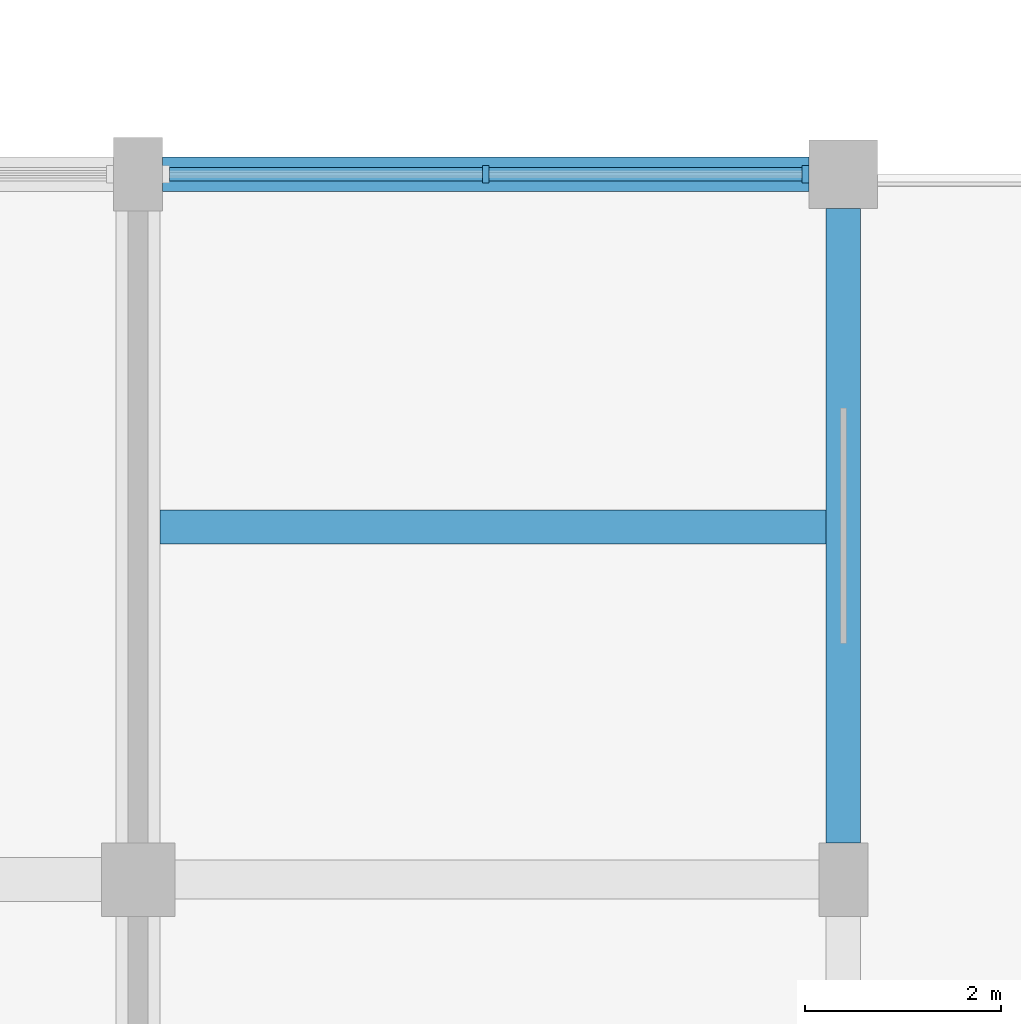
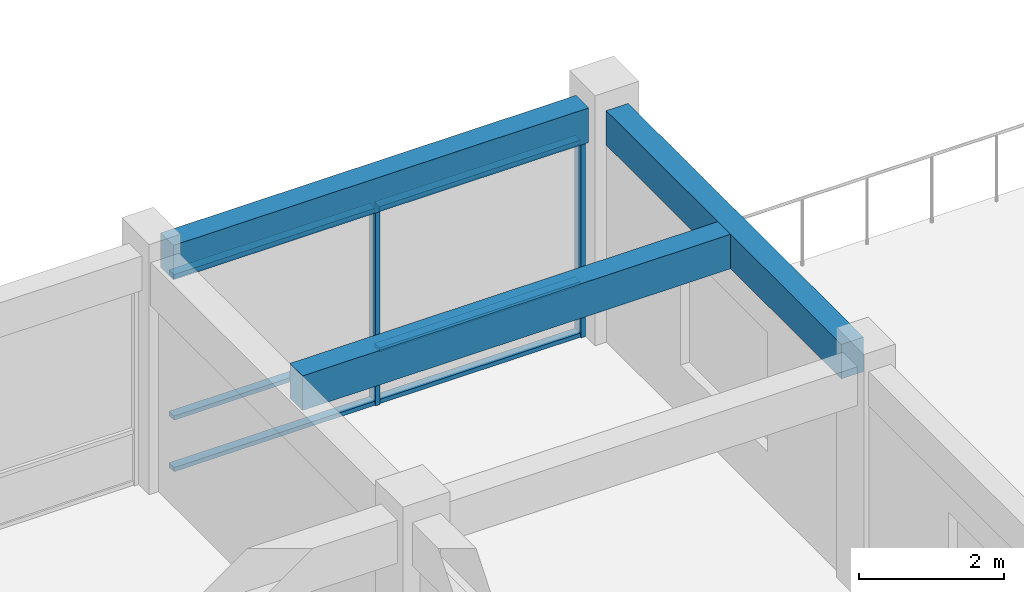
# One storey, part 15 of 31: 8 members, 3 beams, 1 element without a shape of its own.
"""IFC4 building model written with IfcOpenShell, lengths in metres."""

from ifc_helpers import new_model, si_unit, direction, frame, origin, origin_2d, place, context, subcontext, project, spatial, rectangle, extrude, material, layer, layer_set, material_profile, profile_set, type_object, element, aggregate, save


model = new_model("IFC4")

# Units and contexts
model_context = context("Model", 3, precision=1e-05, world=origin(), true_north=direction((0.0, 1.0)))
body_context = subcontext(model_context, "Body", "Model", "MODEL_VIEW")
ifc_project = project(units=[si_unit("LENGTHUNIT", "METRE"), si_unit("AREAUNIT", "SQUARE_METRE"), si_unit("VOLUMEUNIT", "CUBIC_METRE"), si_unit("PLANEANGLEUNIT", "RADIAN"), si_unit("MASSUNIT", "GRAM", prefix="KILO")], contexts=[model_context])

# Site, building, storey
site_placement = place(None, origin())
site = spatial("IfcSite", under=ifc_project, at=site_placement, CompositionType="ELEMENT")
building_placement = place(site_placement, origin())
building = spatial("IfcBuilding", under=site, at=building_placement, Name="Cendaluz Park School", CompositionType="ELEMENT")
storey_placement = place(building_placement, frame((0.0, 0.0, 14.39990234375)))
storey = spatial("IfcBuildingStorey", under=building, at=storey_placement, Name="L03", CompositionType="ELEMENT", Elevation=14.39990234375)

# Beams
ifc_material_1 = material(Name="Concrete C40/50", Category="concrete")
ifc_material_profile_1 = material_profile(ifc_material_1, rectangle(XDim=0.35009765625, YDim=0.580078125, at=origin_2d()), Name="RC 350x580", Category="concrete")
ifc_profile_set_1 = profile_set([ifc_material_profile_1], Name="Concrete C40/50")
beam_type_1 = type_object("IfcBeamType", Name="BM-RC04", PredefinedType="LINTEL", material=ifc_profile_set_1)
beam_1_placement = place(storey_placement, frame((151.449951171875, 28.800048828125, 3.60009765625), z_axis=(1.0, 0.0, 0.0), x_axis=(0.0, 1.0, 0.0)))
element("IfcBeam", 1, at=beam_1_placement, inside=storey, type_object=beam_type_1, Name="BM-L03-BMRC04-0110", PredefinedType="LINTEL", context=body_context, shape_type="SweptSolid", body=[
    extrude(rectangle(XDim=0.35009765625, YDim=0.580078125, at=origin_2d()), origin(), (0.0, 0.0, 1.0), 6.60009765625),
])
beam_2_placement = place(storey_placement, frame((158.39990234375, 21.97509765625, 3.60009765625), z_axis=(0.0, 1.0, 0.0), x_axis=(-1.0, 0.0, 0.0)))
element("IfcBeam", 2, at=beam_2_placement, inside=storey, type_object=beam_type_1, Name="BM-L03-BMRC04-0215", PredefinedType="LINTEL", context=body_context, shape_type="SweptSolid", body=[
    extrude(rectangle(XDim=0.35009765625, YDim=0.580078125, at=origin_2d()), origin(), (0.0, 0.0, 1.0), 6.474853515625),
])

# Curtain wall, members
ifc_material_2 = material(Name="Anodised Aluminium 6063-T6", Category="aluminium")
ifc_layer = layer(ifc_material_2, 0.179931640625)
ifc_layer_set = layer_set([ifc_layer], Name="Anodised Aluminium 6063-T6")
curtain_wall_type = type_object("IfcCurtainWallType", Name="CW-132x66", PredefinedType="NOTDEFINED", material=ifc_layer_set)
curtain_wall_placement = place(storey_placement, origin())
curtain_wall = element("IfcCurtainWall", 3, at=curtain_wall_placement, inside=storey, type_object=curtain_wall_type, Name="CW-L03-160", PredefinedType="NOTDEFINED")
ifc_material_profile_2 = material_profile(ifc_material_2, rectangle(XDim=0.179931640625, YDim=0.070068359375, at=origin_2d()), Name="CWM 180x70", Category="aluminium")
ifc_profile_set_2 = profile_set([ifc_material_profile_2], Name="Anodised Aluminium 6063-T6")
member_type_1 = type_object("IfcMemberType", Name="CWM-01", PredefinedType="MULLION", material=ifc_profile_set_2)
member_1_placement = place(storey_placement, frame((154.75, 28.800048828125, 0.0), z_axis=(0.0, 0.0, 1.0), x_axis=(0.0, 1.0, 0.0)))
member_1 = element("IfcMember", 4, at=member_1_placement, type_object=member_type_1, Name="CP-L03-2069", PredefinedType="MULLION", context=body_context, shape_type="SweptSolid", body=[
    extrude(rectangle(XDim=0.179931640625, YDim=0.070068359375, at=origin_2d()), origin(), (0.0, 0.0, 1.0), 3.31005859375),
])
member_2_placement = place(storey_placement, frame((158.014892578125, 28.800048828125, 0.0), z_axis=(0.0, 0.0, 1.0), x_axis=(0.0, 1.0, 0.0)))
member_2 = element("IfcMember", 5, at=member_2_placement, type_object=member_type_1, Name="CP-L03-2070", PredefinedType="MULLION", context=body_context, shape_type="SweptSolid", body=[
    extrude(rectangle(XDim=0.179931640625, YDim=0.070068359375, at=origin_2d()), origin(), (0.0, 0.0, 1.0), 3.31005859375),
])
ifc_material_profile_3 = material_profile(ifc_material_2, rectangle(XDim=0.139892578125, YDim=0.070068359375, at=origin_2d()), Name="CWT 140x70", Category="aluminium")
ifc_profile_set_3 = profile_set([ifc_material_profile_3], Name="Anodised Aluminium 6063-T6")
member_type_2 = type_object("IfcMemberType", Name="CWT-01", PredefinedType="USERDEFINED", material=ifc_profile_set_3)
member_3_placement = place(storey_placement, frame((151.52001953125, 28.800048828125, 0.03515625), z_axis=(1.0, 0.0, 0.0), x_axis=(0.0, 1.0, 0.0)))
member_3 = element("IfcMember", 6, at=member_3_placement, type_object=member_type_2, Name="CP-L03-2071", ObjectType="TRANSOM", PredefinedType="USERDEFINED", context=body_context, shape_type="SweptSolid", body=[
    extrude(rectangle(XDim=0.139892578125, YDim=0.070068359375, at=origin_2d()), origin(), (0.0, 0.0, 1.0), 3.195068359375),
])
member_4_placement = place(storey_placement, frame((151.52001953125, 28.800048828125, 0.900146484375), z_axis=(1.0, 0.0, 0.0), x_axis=(0.0, 1.0, 0.0)))
member_4 = element("IfcMember", 7, at=member_4_placement, type_object=member_type_2, Name="CP-L03-2072", ObjectType="TRANSOM", PredefinedType="USERDEFINED", context=body_context, shape_type="SweptSolid", body=[
    extrude(rectangle(XDim=0.139892578125, YDim=0.070068359375, at=origin_2d()), origin(), (0.0, 0.0, 1.0), 3.195068359375),
])
member_5_placement = place(storey_placement, frame((151.52001953125, 28.800048828125, 3.275146484375), z_axis=(1.0, 0.0, 0.0), x_axis=(0.0, 1.0, 0.0)))
member_5 = element("IfcMember", 8, at=member_5_placement, type_object=member_type_2, Name="CP-L03-2073", ObjectType="TRANSOM", PredefinedType="USERDEFINED", context=body_context, shape_type="SweptSolid", body=[
    extrude(rectangle(XDim=0.139892578125, YDim=0.070068359375, at=origin_2d()), origin(), (0.0, 0.0, 1.0), 3.195068359375),
])
member_6_placement = place(storey_placement, frame((154.784912109375, 28.800048828125, 0.03515625), z_axis=(1.0, 0.0, 0.0), x_axis=(0.0, 1.0, 0.0)))
member_6 = element("IfcMember", 9, at=member_6_placement, type_object=member_type_2, Name="CP-L03-2076", ObjectType="TRANSOM", PredefinedType="USERDEFINED", context=body_context, shape_type="SweptSolid", body=[
    extrude(rectangle(XDim=0.139892578125, YDim=0.070068359375, at=origin_2d()), origin(), (0.0, 0.0, 1.0), 3.195068359375),
])
member_7_placement = place(storey_placement, frame((154.784912109375, 28.800048828125, 0.900146484375), z_axis=(1.0, 0.0, 0.0), x_axis=(0.0, 1.0, 0.0)))
member_7 = element("IfcMember", 10, at=member_7_placement, type_object=member_type_2, Name="CP-L03-2077", ObjectType="TRANSOM", PredefinedType="USERDEFINED", context=body_context, shape_type="SweptSolid", body=[
    extrude(rectangle(XDim=0.139892578125, YDim=0.070068359375, at=origin_2d()), origin(), (0.0, 0.0, 1.0), 3.195068359375),
])
member_8_placement = place(storey_placement, frame((154.784912109375, 28.800048828125, 3.275146484375), z_axis=(1.0, 0.0, 0.0), x_axis=(0.0, 1.0, 0.0)))
member_8 = element("IfcMember", 11, at=member_8_placement, type_object=member_type_2, Name="CP-L03-2078", ObjectType="TRANSOM", PredefinedType="USERDEFINED", context=body_context, shape_type="SweptSolid", body=[
    extrude(rectangle(XDim=0.139892578125, YDim=0.070068359375, at=origin_2d()), origin(), (0.0, 0.0, 1.0), 3.195068359375),
])
aggregate(curtain_wall, [member_1, member_2, member_3, member_4, member_5, member_6, member_7, member_8])

# Beam
ifc_material_profile_4 = material_profile(ifc_material_1, rectangle(XDim=0.35009765625, YDim=0.580078125, at=origin_2d()), Name="RC 350x580", Category="concrete")
ifc_profile_set_4 = profile_set([ifc_material_profile_4], Name="Concrete C40/50")
beam_type_2 = type_object("IfcBeamType", Name="JT-RC01", PredefinedType="JOIST", material=ifc_profile_set_4)
beam_3_placement = place(storey_placement, frame((151.425048828125, 25.199951171875, 3.60009765625), z_axis=(1.0, 0.0, 0.0), x_axis=(0.0, 1.0, 0.0)))
element("IfcBeam", 12, at=beam_3_placement, inside=storey, type_object=beam_type_2, Name="BM-L03-JTRC01-0243", PredefinedType="JOIST", context=body_context, shape_type="SweptSolid", body=[
    extrude(rectangle(XDim=0.35009765625, YDim=0.580078125, at=origin_2d()), origin(), (0.0, 0.0, 1.0), 6.800048828125),
])

save(model, "model.ifc")
